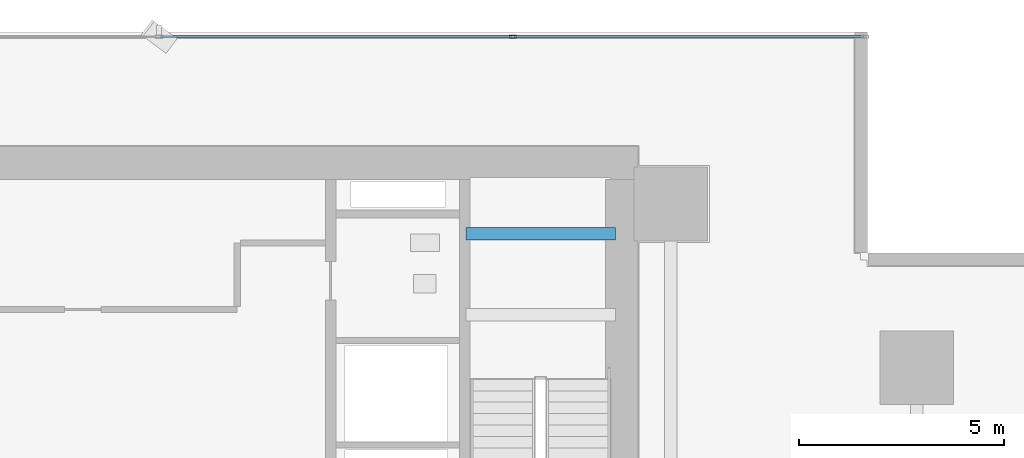
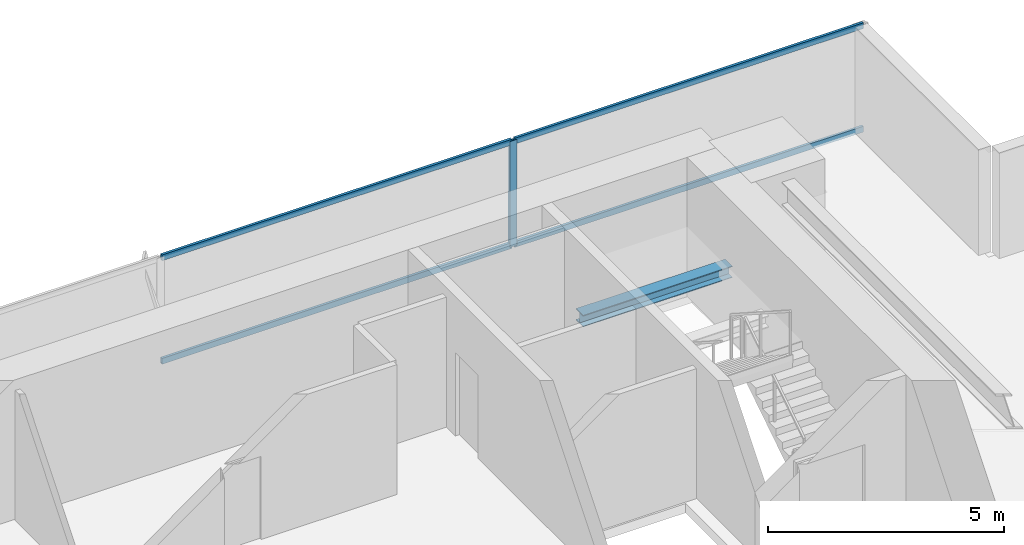
# One storey, part 22 of 33: 5 members, 1 beam, 1 element without a shape of its own.
"""IFC4 building model written with IfcOpenShell, lengths in metres."""

from ifc_helpers import new_model, si_unit, direction, frame, origin, origin_2d, place, context, subcontext, project, spatial, hollow_rectangle, i_section, extrude, source, transform, mapped, material, layer, layer_set, material_profile, profile_set, type_object, element, aggregate, save


model = new_model("IFC4")

# Units and contexts
model_context = context("Model", 3, precision=1e-05, world=origin(), true_north=direction((0.0, 1.0)))
body_context = subcontext(model_context, "Body", "Model", "MODEL_VIEW")
ifc_project = project(units=[si_unit("LENGTHUNIT", "METRE"), si_unit("AREAUNIT", "SQUARE_METRE"), si_unit("VOLUMEUNIT", "CUBIC_METRE"), si_unit("PLANEANGLEUNIT", "RADIAN"), si_unit("MASSUNIT", "GRAM", prefix="KILO")], contexts=[model_context])

# Site, building, storey
site_placement = place(None, origin())
site = spatial("IfcSite", under=ifc_project, at=site_placement, CompositionType="ELEMENT")
building_placement = place(site_placement, origin())
building = spatial("IfcBuilding", under=site, at=building_placement, Name="Sumidabori Civic Tower", CompositionType="ELEMENT")
storey_placement = place(building_placement, frame((0.0, 0.0, 63.199951171875)))
storey = spatial("IfcBuildingStorey", under=building, at=storey_placement, Name="L16", CompositionType="ELEMENT", Elevation=63.199951171875)

# Beam
ifc_material_1 = material(Name="Steel SN490", Category="steel")
ifc_material_profile_1 = material_profile(ifc_material_1, i_section(OverallWidth=0.300048828125, OverallDepth=0.300048828125, WebThickness=0.010986328125, FlangeThickness=0.01904296875, at=origin_2d()), Name="HE 300 B")
ifc_profile_set_1 = profile_set([ifc_material_profile_1], Name="Steel SN490")
beam_type = type_object("IfcBeamType", Name="BM-LDG-300", PredefinedType="BEAM", material=ifc_profile_set_1)
shared_shape_1 = source(origin(), body_context, "Body", "SweptSolid", [
    extrude(i_section(OverallWidth=0.300048828125, OverallDepth=0.300048828125, WebThickness=0.010986328125, FlangeThickness=0.01904296875, at=origin_2d()), origin(), (0.0, 0.0, 1.0), 3.64990234375),
])
beam_placement = place(storey_placement, frame((11.800048828125, 22.069580078125, 1.449951171875), z_axis=(1.0, 0.0, 0.0), x_axis=(0.0, 1.0, 0.0)))
element("IfcBeam", 1, at=beam_placement, inside=storey, type_object=beam_type, Name="Stair ST-2 Landing Trimmer Beam L16-1B", PredefinedType="BEAM", context=body_context, shape_type="MappedRepresentation", body=[
    mapped(shared_shape_1, transform((0.0, 0.0, 0.0), x_axis=(1.0, 0.0, 0.0), y_axis=(0.0, 1.0, 0.0), z_axis=(0.0, 0.0, 1.0), scale=1.0)),
])

# Curtain wall, members
ifc_material_2 = material(Name="Anodised Bronze Aluminium AW-6063-T6", Category="aluminium")
ifc_layer = layer(ifc_material_2, 0.179931640625, Name="Anodised Bronze Aluminium AW-6063-T6")
ifc_layer_set = layer_set([ifc_layer], Name="Anodised Bronze Aluminium AW-6063-T6")
curtain_wall_type = type_object("IfcCurtainWallType", Name="CW-SYS-2", PredefinedType="NOTDEFINED", material=ifc_layer_set)
curtain_wall_placement = place(storey_placement, origin())
curtain_wall = element("IfcCurtainWall", 2, at=curtain_wall_placement, inside=storey, type_object=curtain_wall_type, Name="Curtain Wall CW:L16:R07", PredefinedType="NOTDEFINED")
ifc_material_profile_2 = material_profile(ifc_material_2, hollow_rectangle(XDim=0.070068359375, YDim=0.179931640625, WallThickness=0.006103515625, at=origin_2d()), Name="ALU MULLION 180x70")
ifc_profile_set_2 = profile_set([ifc_material_profile_2], Name="Anodised Bronze Aluminium AW-6063-T6")
member_type_1 = type_object("IfcMemberType", Name="CW-MUL-180", PredefinedType="MULLION", material=ifc_profile_set_2)
shared_shape_2 = source(origin(), body_context, "Body", "SweptSolid", [
    extrude(hollow_rectangle(XDim=0.070068359375, YDim=0.179931640625, WallThickness=0.006103515625, at=origin_2d()), origin(), (0.0, 0.0, 1.0), 2.739990234375),
])
member_1_placement = place(storey_placement, frame((12.94189453125, 26.8798828125, 0.0), z_axis=(0.0, 0.0, 1.0), x_axis=(0.0, -1.0, 0.0)))
member_1 = element("IfcMember", 3, at=member_1_placement, type_object=member_type_1, Name="CW-2 mullion 2", PredefinedType="MULLION", context=body_context, shape_type="MappedRepresentation", body=[
    mapped(shared_shape_2, transform((0.0, 0.0, 0.0), x_axis=(1.0, 0.0, 0.0), y_axis=(0.0, 1.0, 0.0), z_axis=(0.0, 0.0, 1.0), scale=1.0)),
])
ifc_material_profile_3 = material_profile(ifc_material_2, hollow_rectangle(XDim=0.06494140625, YDim=0.14990234375, WallThickness=0.0048828125, at=origin_2d()), Name="ALU TRANSOM 150x65")
ifc_profile_set_3 = profile_set([ifc_material_profile_3], Name="Anodised Bronze Aluminium AW-6063-T6")
member_type_2 = type_object("IfcMemberType", Name="CW-TRN-150", PredefinedType="USERDEFINED", material=ifc_profile_set_3)
shared_shape_3 = source(origin(), body_context, "Body", "SweptSolid", [
    extrude(hollow_rectangle(XDim=0.06494140625, YDim=0.14990234375, WallThickness=0.0048828125, at=origin_2d()), origin(), (0.0, 0.0, 1.0), 8.52294921875),
])
member_2_placement = place(storey_placement, frame((21.5, 26.8798828125, 0.032470703125), z_axis=(-1.0, 0.0, 0.0), x_axis=(0.0, -1.0, 0.0)))
member_2 = element("IfcMember", 4, at=member_2_placement, type_object=member_type_2, Name="CW-2 transom 1.1", ObjectType="TRANSOM", PredefinedType="USERDEFINED", context=body_context, shape_type="MappedRepresentation", body=[
    mapped(shared_shape_3, transform((0.0, 0.0, 0.0), x_axis=(1.0, 0.0, 0.0), y_axis=(0.0, 1.0, 0.0), z_axis=(0.0, 0.0, 1.0), scale=1.0)),
])
member_3_placement = place(storey_placement, frame((21.5, 26.8798828125, 2.70751953125), z_axis=(-1.0, 0.0, 0.0), x_axis=(0.0, -1.0, 0.0)))
member_3 = element("IfcMember", 5, at=member_3_placement, type_object=member_type_2, Name="CW-2 transom 1.2", ObjectType="TRANSOM", PredefinedType="USERDEFINED", context=body_context, shape_type="MappedRepresentation", body=[
    mapped(shared_shape_3, transform((0.0, 0.0, 0.0), x_axis=(1.0, 0.0, 0.0), y_axis=(0.0, 1.0, 0.0), z_axis=(0.0, 0.0, 1.0), scale=1.0)),
])
shared_shape_4 = source(origin(), body_context, "Body", "SweptSolid", [
    extrude(hollow_rectangle(XDim=0.06494140625, YDim=0.14990234375, WallThickness=0.0048828125, at=origin_2d()), origin(), (0.0, 0.0, 1.0), 8.557861328125),
])
member_4_placement = place(storey_placement, frame((12.906982421875, 26.8798828125, 0.032470703125), z_axis=(-1.0, 0.0, 0.0), x_axis=(0.0, -1.0, 0.0)))
member_4 = element("IfcMember", 6, at=member_4_placement, type_object=member_type_2, Name="CW-2 transom 2.1", ObjectType="TRANSOM", PredefinedType="USERDEFINED", context=body_context, shape_type="MappedRepresentation", body=[
    mapped(shared_shape_4, transform((0.0, 0.0, 0.0), x_axis=(1.0, 0.0, 0.0), y_axis=(0.0, 1.0, 0.0), z_axis=(0.0, 0.0, 1.0), scale=1.0)),
])
member_5_placement = place(storey_placement, frame((12.906982421875, 26.8798828125, 2.70751953125), z_axis=(-1.0, 0.0, 0.0), x_axis=(0.0, -1.0, 0.0)))
member_5 = element("IfcMember", 7, at=member_5_placement, type_object=member_type_2, Name="CW-2 transom 2.2", ObjectType="TRANSOM", PredefinedType="USERDEFINED", context=body_context, shape_type="MappedRepresentation", body=[
    mapped(shared_shape_4, transform((0.0, 0.0, 0.0), x_axis=(1.0, 0.0, 0.0), y_axis=(0.0, 1.0, 0.0), z_axis=(0.0, 0.0, 1.0), scale=1.0)),
])
aggregate(curtain_wall, [member_1, member_2, member_3, member_4, member_5])

save(model, "model.ifc")
